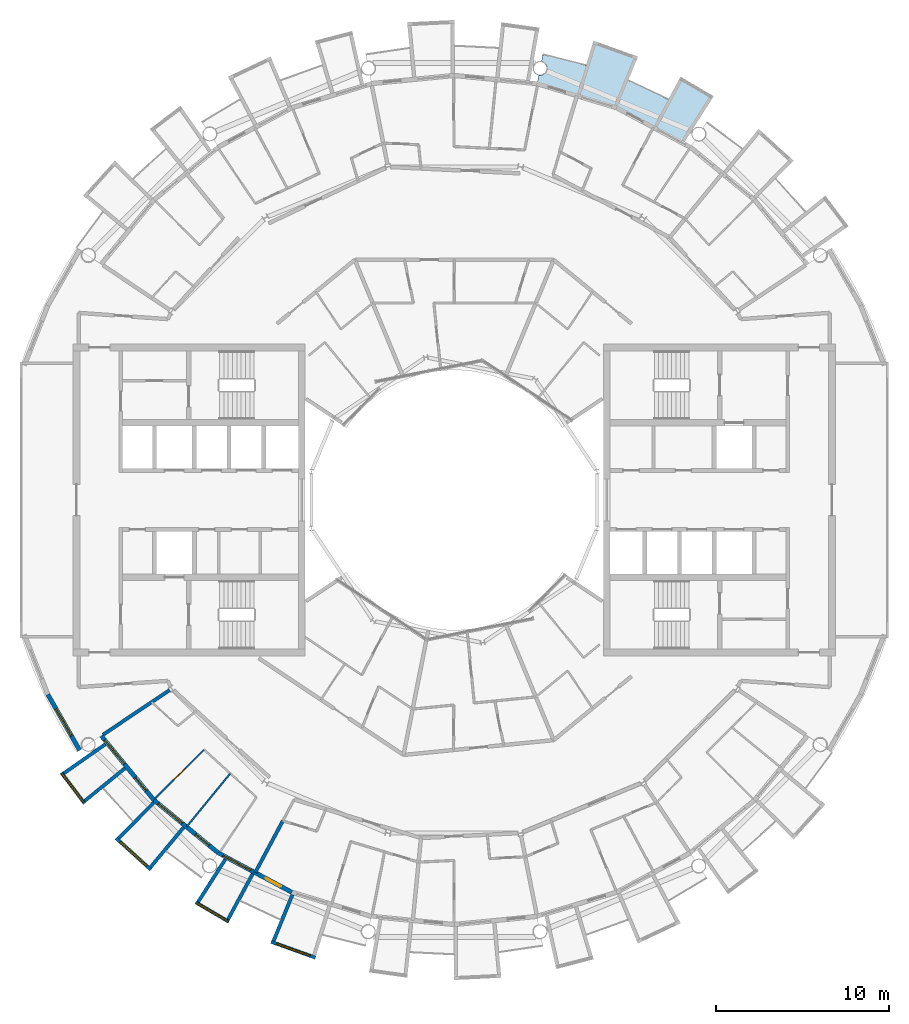
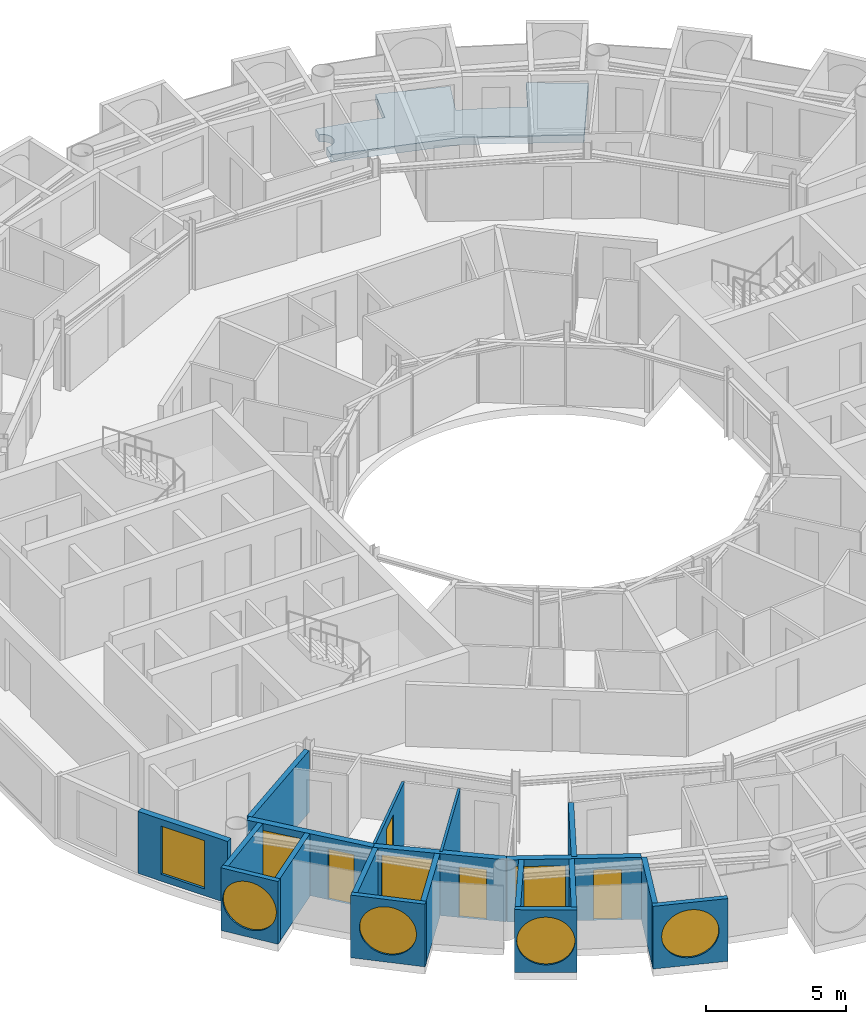
# One storey, part 13 of 27: 19 walls, 8 windows, 4 doors, 1 slab, 12 openings.
"""IFC4 building model written with IfcOpenShell, lengths in metres."""

from ifc_helpers import new_model, si_unit, direction, frame, frame_2d, origin, place, context, subcontext, project, spatial, polyline, rectangle, circle, outline, extrude, material, layer, layer_set, type_object, element, fill, save


model = new_model("IFC4")

# Units and contexts
model_context = context("Model", 3, precision=1e-05, world=origin(), true_north=direction((0.0, 1.0)))
body_context = subcontext(model_context, "Body", "Model", "MODEL_VIEW")
ifc_project = project(units=[si_unit("LENGTHUNIT", "METRE"), si_unit("AREAUNIT", "SQUARE_METRE"), si_unit("VOLUMEUNIT", "CUBIC_METRE"), si_unit("PLANEANGLEUNIT", "RADIAN"), si_unit("MASSUNIT", "GRAM", prefix="KILO")], contexts=[model_context])

# Site, building, storey
site_placement = place(None, origin())
site = spatial("IfcSite", under=ifc_project, at=site_placement, CompositionType="ELEMENT")
building_placement = place(site_placement, origin())
building = spatial("IfcBuilding", under=site, at=building_placement, Name="Maasbend Ring Residences", CompositionType="ELEMENT")
storey_placement = place(building_placement, frame((0.0, 0.0, 240.14990234375)))
storey = spatial("IfcBuildingStorey", under=building, at=storey_placement, Name="L69", CompositionType="ELEMENT", Elevation=240.14990234375)

# Slab
ifc_material_1 = material(Name="Concrete C40/50", Category="concrete")
ifc_layer_1 = layer(ifc_material_1, 0.199951171875)
ifc_layer_set_1 = layer_set([ifc_layer_1], Name="Concrete C40/50")
slab_type = type_object("IfcSlabType", Name="SL-LOGGIA", PredefinedType="FLOOR", material=ifc_layer_set_1)
slab_placement = place(storey_placement, frame((0.0, 0.0, -0.349853515625)))
element("IfcSlab", 1, at=slab_placement, inside=storey, type_object=slab_type, Name="Loggia floor 3", PredefinedType="FLOOR", context=body_context, shape_type="SweptSolid", body=[
    extrude(outline(polyline([(4.89599609375, 24.510009765625), (4.906005859375, 24.508056640625), (4.9150390625, 24.507080078125), (4.925048828125, 24.507080078125), (4.93505859375, 24.506103515625), (4.945068359375, 24.506103515625), (4.955078125, 24.5048828125), (4.965087890625, 24.506103515625), (4.97509765625, 24.506103515625), (4.985107421875, 24.507080078125), (4.9951171875, 24.507080078125), (5.0048828125, 24.508056640625), (5.014892578125, 24.510009765625), (5.02490234375, 24.510986328125), (5.034912109375, 24.512939453125), (5.0439453125, 24.514892578125), (5.053955078125, 24.51806640625), (5.06396484375, 24.52001953125), (5.072998046875, 24.52294921875), (5.0830078125, 24.52587890625), (5.092041015625, 24.529052734375), (5.10205078125, 24.532958984375), (5.111083984375, 24.535888671875), (5.1201171875, 24.5400390625), (5.12890625, 24.5439453125), (5.137939453125, 24.549072265625), (5.14697265625, 24.552978515625), (5.156005859375, 24.55810546875), (5.1640625, 24.56298828125), (5.173095703125, 24.568115234375), (5.180908203125, 24.573974609375), (5.18896484375, 24.580078125), (5.197021484375, 24.5849609375), (5.205078125, 24.591064453125), (5.212890625, 24.597900390625), (5.220947265625, 24.60400390625), (5.22802734375, 24.611083984375), (5.236083984375, 24.616943359375), (5.242919921875, 24.6240234375), (5.25, 24.632080078125), (5.256103515625, 24.638916015625), (5.262939453125, 24.64599609375), (5.27001953125, 24.654052734375), (5.27587890625, 24.662109375), (5.281982421875, 24.669921875), (5.2880859375, 24.677978515625), (5.29296875, 24.68603515625), (5.299072265625, 24.694091796875), (5.303955078125, 24.702880859375), (5.30908203125, 24.7119140625), (5.31396484375, 24.719970703125), (5.318115234375, 24.72900390625), (5.322998046875, 24.738037109375), (5.326904296875, 24.7470703125), (5.3310546875, 24.756103515625), (5.3349609375, 24.76611328125), (5.337890625, 24.77490234375), (5.341064453125, 24.783935546875), (5.343994140625, 24.7939453125), (5.346923828125, 24.802978515625), (5.35009765625, 24.81298828125), (5.35205078125, 24.822998046875), (5.35400390625, 24.8330078125), (5.35595703125, 24.842041015625), (5.35693359375, 24.85205078125), (5.35888671875, 24.862060546875), (5.360107421875, 24.8720703125), (5.361083984375, 24.882080078125), (5.361083984375, 24.89208984375), (5.362060546875, 24.902099609375), (5.362060546875, 24.912109375), (5.362060546875, 24.922119140625), (5.361083984375, 24.931884765625), (5.361083984375, 24.94189453125), (5.360107421875, 24.951904296875), (5.35888671875, 24.9619140625), (5.35693359375, 24.971923828125), (5.35595703125, 24.98095703125), (5.35400390625, 24.990966796875), (5.35205078125, 25.0009765625), (5.35009765625, 25.010986328125), (5.346923828125, 25.02001953125), (5.343994140625, 25.030029296875), (5.341064453125, 25.0390625), (5.337890625, 25.049072265625), (5.3349609375, 25.05810546875), (5.3310546875, 25.06689453125), (5.326904296875, 25.076904296875), (5.322998046875, 25.0859375), (5.318115234375, 25.094970703125), (5.31396484375, 25.10400390625), (5.30908203125, 25.112060546875), (5.303955078125, 25.12109375), (5.299072265625, 25.12890625), (5.29296875, 25.137939453125), (5.2880859375, 25.14599609375), (5.281982421875, 25.154052734375), (5.27587890625, 25.162109375), (5.27001953125, 25.169921875), (5.262939453125, 25.177001953125), (5.256103515625, 25.18505859375), (5.25, 25.19189453125), (5.242919921875, 25.198974609375), (5.236083984375, 25.2060546875), (5.22802734375, 25.212890625), (5.220947265625, 25.219970703125), (5.212890625, 25.22607421875), (5.205078125, 25.23193359375), (5.197021484375, 25.238037109375), (5.18896484375, 25.243896484375), (5.180908203125, 25.25), (5.173095703125, 25.2548828125), (5.1640625, 25.260986328125), (5.156005859375, 25.26611328125), (5.14697265625, 25.27001953125), (5.137939453125, 25.27490234375), (5.12890625, 25.279052734375), (5.1201171875, 25.283935546875), (5.111083984375, 25.287109375), (5.10205078125, 25.291015625), (5.092041015625, 25.294921875), (5.0830078125, 25.298095703125), (5.072998046875, 25.301025390625), (5.06396484375, 25.303955078125), (5.053955078125, 25.305908203125), (5.0439453125, 25.30908203125), (5.034912109375, 25.31103515625), (5.034912109375, 25.31103515625), (5.111083984375, 25.697021484375), (5.111083984375, 25.697021484375), (5.111083984375, 25.697021484375), (5.948974609375, 25.51611328125), (5.948974609375, 25.51611328125), (6.781005859375, 25.306884765625), (6.781005859375, 25.306884765625), (7.60498046875, 25.072021484375), (7.60498046875, 25.072021484375), (7.60498046875, 25.072021484375), (7.60498046875, 25.072021484375), (7.60498046875, 25.072021484375), (7.60498046875, 25.072021484375), (7.60498046875, 25.072021484375), (7.60498046875, 25.072021484375), (7.60498046875, 25.072021484375), (7.60498046875, 25.072021484375), (7.60498046875, 25.072021484375), (7.60498046875, 25.072021484375), (7.60595703125, 25.072021484375), (7.60595703125, 25.072021484375), (7.60595703125, 25.072021484375), (7.60595703125, 25.072021484375), (7.60595703125, 25.072021484375), (8.041015625, 26.507080078125), (8.041015625, 26.507080078125), (8.041015625, 26.507080078125), (10.60009765625, 25.591064453125), (10.60009765625, 25.591064453125), (10.60009765625, 25.591064453125), (10.02587890625, 24.2060546875), (10.02587890625, 24.2060546875), (10.02587890625, 24.2060546875), (10.02587890625, 24.2060546875), (10.02587890625, 24.2060546875), (10.02587890625, 24.2060546875), (10.02587890625, 24.2060546875), (10.02587890625, 24.2060546875), (10.02587890625, 24.2060546875), (10.027099609375, 24.2060546875), (10.027099609375, 24.2060546875), (10.027099609375, 24.2060546875), (10.027099609375, 24.2060546875), (10.027099609375, 24.2060546875), (10.027099609375, 24.205078125), (10.027099609375, 24.205078125), (10.027099609375, 24.205078125), (10.81298828125, 23.864990234375), (10.81298828125, 23.864990234375), (11.587890625, 23.498046875), (11.587890625, 23.498046875), (12.35009765625, 23.10693359375), (12.35009765625, 23.10693359375), (12.35009765625, 23.10693359375), (12.35009765625, 23.10693359375), (12.35009765625, 23.10693359375), (12.35009765625, 23.10693359375), (12.35009765625, 23.10693359375), (12.35009765625, 23.10693359375), (12.35107421875, 23.10693359375), (12.35107421875, 23.10693359375), (12.35107421875, 23.10693359375), (12.35107421875, 23.10693359375), (12.35107421875, 23.10693359375), (12.35107421875, 23.10693359375), (12.35107421875, 23.10693359375), (12.35107421875, 23.10693359375), (12.35107421875, 23.10693359375), (13.05810546875, 24.428955078125), (13.05810546875, 24.428955078125), (13.05810546875, 24.428955078125), (14.972900390625, 23.303955078125), (14.972900390625, 23.303955078125), (14.972900390625, 23.303955078125), (13.221923828125, 20.5791015625), (13.221923828125, 20.5791015625), (13.221923828125, 20.5791015625), (11.493896484375, 21.5029296875), (9.3759765625, 22.635009765625), (9.3759765625, 22.635009765625), (9.3759765625, 22.635009765625), (7.077880859375, 23.33203125), (4.780029296875, 24.029052734375), (4.780029296875, 24.029052734375), (4.780029296875, 24.029052734375), (4.8759765625, 24.512939453125), (4.8759765625, 24.512939453125), (4.885986328125, 24.510986328125), (4.89599609375, 24.510009765625)])), origin(), (0.0, 0.0, 1.0), 0.320068359375),
])

# Wall, opening, window
ifc_material_2 = material(Name="Pale anodised aluminium panel", Category="aluminium")
ifc_layer_2 = layer(ifc_material_2, 0.199951171875)
ifc_layer_set_2 = layer_set([ifc_layer_2], Name="EW-BOX")
wall_type_1 = type_object("IfcWallType", Name="EW-BOX", PredefinedType="SOLIDWALL", material=ifc_layer_set_2)
wall_1_placement = place(storey_placement, frame((-22.672119140625, -15.739990234375, -0.02978515625), z_axis=(0.0, 0.0, 1.0), x_axis=(0.602915500641, -0.797805050803, 0.0)))
wall_1 = element("IfcWall", 2, at=wall_1_placement, inside=storey, type_object=wall_type_1, Name="Box front S01", PredefinedType="SOLIDWALL", context=body_context, shape_type="SweptSolid", body=[
    extrude(rectangle(XDim=2.220947265625, YDim=0.199951171875, at=frame_2d((1.1103515625, 0.0))), origin(), (0.0, 0.0, 1.0), 2.72998046875),
])
opening_1_placement = place(wall_1_placement, frame((0.070556640625, 0.0, 0.330078125)))
opening_1 = element("IfcOpeningElement", 3, at=opening_1_placement, cuts=wall_1, Name="Opening W-RD", PredefinedType="OPENING", context=body_context, shape_type="SweptSolid", body=[
    extrude(circle(Radius=1.0400390625, at=frame_2d((1.0400390625, 1.0400390625))), frame((0.0, 0.10986328125, 0.0), z_axis=(0.0, -1.0, 0.0), x_axis=(1.0, 0.0, 0.0)), (0.0, 0.0, 1.0), 0.219970703125),
])
ifc_material_3 = material(Name="Aluminium and clear glass", Category="aluminium")
window_type_1 = type_object("IfcWindowType", Name="W-RD", PartitioningType="SINGLE_PANEL", PredefinedType="WINDOW", material=ifc_material_3)
window_1_placement = place(opening_1_placement, origin())
window_1 = element("IfcWindow", 4, at=window_1_placement, inside=storey, type_object=window_type_1, Name="Round window S01", OverallHeight=2.080078125, OverallWidth=2.080078125, PartitioningType="SINGLE_PANEL", PredefinedType="WINDOW", context=body_context, shape_type="SweptSolid", body=[
    extrude(circle(Radius=1.0400390625, at=frame_2d((1.0400390625, 1.0400390625))), frame((0.0, 0.030029296875, 0.0), z_axis=(0.0, -1.0, 0.0), x_axis=(1.0, 0.0, 0.0)), (0.0, 0.0, 1.0), 0.06005859375),
])
fill(opening_1, window_1)

# Walls
wall_2_placement = place(storey_placement, frame((-20.137939453125, -14.093017578125, -0.02978515625), z_axis=(0.0, 0.0, 1.0), x_axis=(-0.81913764619, -0.573596998419, 0.0)))
element("IfcWall", 5, at=wall_2_placement, inside=storey, type_object=wall_type_1, Name="Box side wall S01 left", PredefinedType="SOLIDWALL", context=body_context, shape_type="SweptSolid", body=[
    extrude(rectangle(XDim=2.920166015625, YDim=0.199951171875, at=frame_2d((1.4599609375, 0.0))), origin(), (0.0, 0.0, 1.0), 2.72998046875),
])
wall_3_placement = place(storey_placement, frame((-19.0, -15.47900390625, -0.02978515625), z_axis=(0.0, 0.0, 1.0), x_axis=(-0.775612161439, -0.631209771017, 0.0)))
element("IfcWall", 6, at=wall_3_placement, inside=storey, type_object=wall_type_1, Name="Box side wall S01 right", PredefinedType="SOLIDWALL", context=body_context, shape_type="SweptSolid", body=[
    extrude(rectangle(XDim=2.992431640625, YDim=0.199951171875, at=frame_2d((1.49609375, 0.0))), origin(), (0.0, 0.0, 1.0), 2.72998046875),
])

# Wall, opening, window
wall_4_placement = place(storey_placement, frame((-19.52001953125, -19.512939453125, -0.02978515625), z_axis=(0.0, 0.0, 1.0), x_axis=(0.741016284298, -0.671487056022, 0.0)))
wall_4 = element("IfcWall", 7, at=wall_4_placement, inside=storey, type_object=wall_type_1, Name="Box front S03", PredefinedType="SOLIDWALL", context=body_context, shape_type="SweptSolid", body=[
    extrude(rectangle(XDim=2.7177734375, YDim=0.199951171875, at=frame_2d((1.35888671875, 0.0))), origin(), (0.0, 0.0, 1.0), 2.72998046875),
])
opening_2_placement = place(wall_4_placement, frame((0.319091796875, 0.0, 0.330078125)))
opening_2 = element("IfcOpeningElement", 8, at=opening_2_placement, cuts=wall_4, Name="Opening W-RD", PredefinedType="OPENING", context=body_context, shape_type="SweptSolid", body=[
    extrude(circle(Radius=1.0400390625, at=frame_2d((1.0400390625, 1.0400390625))), frame((0.0, 0.10986328125, 0.0), z_axis=(0.0, -1.0, 0.0), x_axis=(1.0, 0.0, 0.0)), (0.0, 0.0, 1.0), 0.219970703125),
])
window_2_placement = place(opening_2_placement, origin())
window_2 = element("IfcWindow", 9, at=window_2_placement, inside=storey, type_object=window_type_1, Name="Round window S03", OverallHeight=2.080078125, OverallWidth=2.080078125, PartitioningType="SINGLE_PANEL", PredefinedType="WINDOW", context=body_context, shape_type="SweptSolid", body=[
    extrude(circle(Radius=1.0400390625, at=frame_2d((1.0400390625, 1.0400390625))), frame((0.0, 0.030029296875, 0.0), z_axis=(0.0, -1.0, 0.0), x_axis=(1.0, 0.0, 0.0)), (0.0, 0.0, 1.0), 0.06005859375),
])
fill(opening_2, window_2)

# Walls
wall_5_placement = place(storey_placement, frame((-17.343994140625, -17.469970703125, -0.02978515625), z_axis=(0.0, 0.0, 1.0), x_axis=(-0.704306055012, -0.709896457854, 0.0)))
element("IfcWall", 10, at=wall_5_placement, inside=storey, type_object=wall_type_1, Name="Box side wall S03 left", PredefinedType="SOLIDWALL", context=body_context, shape_type="SweptSolid", body=[
    extrude(rectangle(XDim=2.88232421875, YDim=0.199951171875, at=frame_2d((1.441162109375, 0.0))), origin(), (0.0, 0.0, 1.0), 2.72998046875),
])
wall_6_placement = place(storey_placement, frame((-15.614990234375, -18.887939453125, -0.02978515625), z_axis=(0.0, 0.0, 1.0), x_axis=(-0.637452521862, -0.770489638069, 0.0)))
element("IfcWall", 11, at=wall_6_placement, inside=storey, type_object=wall_type_1, Name="Box side wall S03 right", PredefinedType="SOLIDWALL", context=body_context, shape_type="SweptSolid", body=[
    extrude(rectangle(XDim=2.9931640625, YDim=0.199951171875, at=frame_2d((1.49658203125, 0.0))), origin(), (0.0, 0.0, 1.0), 2.72998046875),
])

# Wall, opening, window
wall_7_placement = place(storey_placement, frame((-14.923095703125, -23.218017578125, -0.02978515625), z_axis=(0.0, 0.0, 1.0), x_axis=(0.862340692672, -0.506328480101, 0.0)))
wall_7 = element("IfcWall", 12, at=wall_7_placement, inside=storey, type_object=wall_type_1, Name="Box front S05", PredefinedType="SOLIDWALL", context=body_context, shape_type="SweptSolid", body=[
    extrude(rectangle(XDim=2.221923828125, YDim=0.199951171875, at=frame_2d((1.11083984375, 0.0))), origin(), (0.0, 0.0, 1.0), 2.72998046875),
])
opening_3_placement = place(wall_7_placement, frame((0.070556640625, 0.0, 0.330078125)))
opening_3 = element("IfcOpeningElement", 13, at=opening_3_placement, cuts=wall_7, Name="Opening W-RD", PredefinedType="OPENING", context=body_context, shape_type="SweptSolid", body=[
    extrude(circle(Radius=1.0400390625, at=frame_2d((1.0400390625, 1.0400390625))), frame((0.0, 0.10986328125, 0.0), z_axis=(0.0, -1.0, 0.0), x_axis=(1.0, 0.0, 0.0)), (0.0, 0.0, 1.0), 0.219970703125),
])
window_3_placement = place(opening_3_placement, origin())
window_3 = element("IfcWindow", 14, at=window_3_placement, inside=storey, type_object=window_type_1, Name="Round window S05", OverallHeight=2.080078125, OverallWidth=2.080078125, PartitioningType="SINGLE_PANEL", PredefinedType="WINDOW", context=body_context, shape_type="SweptSolid", body=[
    extrude(circle(Radius=1.0400390625, at=frame_2d((1.0400390625, 1.0400390625))), frame((0.0, 0.030029296875, 0.0), z_axis=(0.0, -1.0, 0.0), x_axis=(1.0, 0.0, 0.0)), (0.0, 0.0, 1.0), 0.06005859375),
])
fill(opening_3, window_3)

# Walls
wall_8_placement = place(storey_placement, frame((-13.2109375, -20.72705078125, -0.02978515625), z_axis=(0.0, 0.0, 1.0), x_axis=(-0.537551395407, -0.843230986917, 0.0)))
element("IfcWall", 15, at=wall_8_placement, inside=storey, type_object=wall_type_1, Name="Box side wall S05 left", PredefinedType="SOLIDWALL", context=body_context, shape_type="SweptSolid", body=[
    extrude(rectangle(XDim=2.9208984375, YDim=0.199951171875, at=frame_2d((1.46044921875, 0.0))), origin(), (0.0, 0.0, 1.0), 2.72998046875),
])
wall_9_placement = place(storey_placement, frame((-11.631103515625, -21.572021484375, -0.02978515625), z_axis=(0.0, 0.0, 1.0), x_axis=(-0.474649669009, -0.880174807473, 0.0)))
element("IfcWall", 16, at=wall_9_placement, inside=storey, type_object=wall_type_1, Name="Box side wall S05 right", PredefinedType="SOLIDWALL", context=body_context, shape_type="SweptSolid", body=[
    extrude(rectangle(XDim=2.991455078125, YDim=0.199951171875, at=frame_2d((1.49560546875, 0.0))), origin(), (0.0, 0.0, 1.0), 2.72998046875),
])

# Wall, opening, window
wall_10_placement = place(storey_placement, frame((-10.56689453125, -25.4970703125, -0.02978515625), z_axis=(0.0, 0.0, 1.0), x_axis=(0.941532471443, -0.336922253968, 0.0)))
wall_10 = element("IfcWall", 17, at=wall_10_placement, inside=storey, type_object=wall_type_1, Name="Box front S07", PredefinedType="SOLIDWALL", context=body_context, shape_type="SweptSolid", body=[
    extrude(rectangle(XDim=2.71875, YDim=0.199951171875, at=frame_2d((1.359375, 0.0))), origin(), (0.0, 0.0, 1.0), 2.72998046875),
])
opening_4_placement = place(wall_10_placement, frame((0.319091796875, 0.0, 0.330078125)))
opening_4 = element("IfcOpeningElement", 18, at=opening_4_placement, cuts=wall_10, Name="Opening W-RD", PredefinedType="OPENING", context=body_context, shape_type="SweptSolid", body=[
    extrude(circle(Radius=1.0400390625, at=frame_2d((1.0400390625, 1.0400390625))), frame((0.0, 0.10986328125, 0.0), z_axis=(0.0, -1.0, 0.0), x_axis=(1.0, 0.0, 0.0)), (0.0, 0.0, 1.0), 0.219970703125),
])
window_4_placement = place(opening_4_placement, origin())
window_4 = element("IfcWindow", 19, at=window_4_placement, inside=storey, type_object=window_type_1, Name="Round window S07", OverallHeight=2.080078125, OverallWidth=2.080078125, PartitioningType="SINGLE_PANEL", PredefinedType="WINDOW", context=body_context, shape_type="SweptSolid", body=[
    extrude(circle(Radius=1.0400390625, at=frame_2d((1.0400390625, 1.0400390625))), frame((0.0, 0.030029296875, 0.0), z_axis=(0.0, -1.0, 0.0), x_axis=(1.0, 0.0, 0.0)), (0.0, 0.0, 1.0), 0.06005859375),
])
fill(opening_4, window_4)

# Wall
wall_11_placement = place(storey_placement, frame((-9.337890625, -22.777099609375, -0.02978515625), z_axis=(0.0, 0.0, 1.0), x_axis=(-0.379219850791, -0.925306600412, 0.0)))
element("IfcWall", 20, at=wall_11_placement, inside=storey, type_object=wall_type_1, Name="Box side wall S07 left", PredefinedType="SOLIDWALL", context=body_context, shape_type="SweptSolid", body=[
    extrude(rectangle(XDim=2.88232421875, YDim=0.199951171875, at=frame_2d((1.441162109375, 0.0))), origin(), (0.0, 0.0, 1.0), 2.72998046875),
])

# Wall, openings, door, window
ifc_material_4 = material(Name="Aluminium clad insulated panel", Category="aluminium")
ifc_layer_3 = layer(ifc_material_4, 0.25)
ifc_layer_set_3 = layer_set([ifc_layer_3], Name="EW-GL")
wall_type_2 = type_object("IfcWallType", Name="EW-GL", PredefinedType="SOLIDWALL", material=ifc_layer_set_3)
wall_12_placement = place(storey_placement, frame((-20.37109375, -13.611083984375, 0.0), z_axis=(0.0, 0.0, 1.0), x_axis=(0.634396836208, -0.773007538262, 0.0)))
wall_12 = element("IfcWall", 21, at=wall_12_placement, inside=storey, type_object=wall_type_2, Name="External wall S01", PredefinedType="SOLIDWALL", context=body_context, shape_type="SweptSolid", body=[
    extrude(rectangle(XDim=4.80322265625, YDim=0.25, at=frame_2d((2.401611328125, 0.0))), origin(), (0.0, 0.0, 1.0), 2.7001953125),
])
opening_5_placement = place(wall_12_placement, frame((0.3037109375, 0.0, 0.300048828125)))
opening_5 = element("IfcOpeningElement", 22, at=opening_5_placement, cuts=wall_12, Name="Opening W-BX", PredefinedType="OPENING", context=body_context, shape_type="SweptSolid", body=[
    extrude(rectangle(XDim=1.800048828125, YDim=2.10009765625, at=frame_2d((0.89990234375, 1.050048828125))), frame((0.0, 0.135009765625, 0.0), z_axis=(0.0, -1.0, 0.0), x_axis=(1.0, 0.0, 0.0)), (0.0, 0.0, 1.0), 0.27001953125),
])
opening_6_placement = place(wall_12_placement, frame((3.09912109375, 0.0, 0.0)))
opening_6 = element("IfcOpeningElement", 23, at=opening_6_placement, cuts=wall_12, Name="Opening D-LG", PredefinedType="OPENING", context=body_context, shape_type="SweptSolid", body=[
    extrude(rectangle(XDim=1.0, YDim=2.199951171875, at=frame_2d((0.5, 1.10009765625))), frame((0.0, 0.135009765625, 0.0), z_axis=(0.0, -1.0, 0.0), x_axis=(1.0, 0.0, 0.0)), (0.0, 0.0, 1.0), 0.27001953125),
])
ifc_material_5 = material(Name="Aluminium and clear glass", Category="aluminium")
door_type_1 = type_object("IfcDoorType", Name="D-LG", OperationType="SINGLE_SWING_LEFT", PredefinedType="DOOR", material=ifc_material_5)
door_1_placement = place(opening_6_placement, origin())
door_1 = element("IfcDoor", 24, at=door_1_placement, inside=storey, type_object=door_type_1, Name="Loggia door S02", OperationType="SINGLE_SWING_LEFT", OverallHeight=2.199951171875, OverallWidth=1.0, PredefinedType="DOOR", context=body_context, shape_type="SweptSolid", body=[
    extrude(rectangle(XDim=1.0, YDim=2.199951171875, at=frame_2d((0.5, 1.10009765625))), frame((0.0, 0.02490234375, 0.0), z_axis=(0.0, -1.0, 0.0), x_axis=(1.0, 0.0, 0.0)), (0.0, 0.0, 1.0), 0.050048828125),
])
fill(opening_6, door_1)
ifc_material_6 = material(Name="Aluminium and clear glass", Category="aluminium")
window_type_2 = type_object("IfcWindowType", Name="W-BX", PartitioningType="DOUBLE_PANEL_VERTICAL", PredefinedType="WINDOW", material=ifc_material_6)
window_5_placement = place(opening_5_placement, origin())
window_5 = element("IfcWindow", 25, at=window_5_placement, inside=storey, type_object=window_type_2, Name="Window S01 room to box", OverallHeight=2.10009765625, OverallWidth=1.800048828125, PartitioningType="SINGLE_PANEL", PredefinedType="WINDOW", context=body_context, shape_type="SweptSolid", body=[
    extrude(rectangle(XDim=1.800048828125, YDim=2.10009765625, at=frame_2d((0.89990234375, 1.050048828125))), frame((0.0, 0.030029296875, 0.0), z_axis=(0.0, -1.0, 0.0), x_axis=(1.0, 0.0, 0.0)), (0.0, 0.0, 1.0), 0.06005859375),
])
fill(opening_5, window_5)

wall_13_placement = place(storey_placement, frame((-17.323974609375, -17.323974609375, 0.0), z_axis=(0.0, 0.0, 1.0), x_axis=(0.773007538262, -0.634396836208, 0.0)))
wall_13 = element("IfcWall", 26, at=wall_13_placement, inside=storey, type_object=wall_type_2, Name="External wall S02", PredefinedType="SOLIDWALL", context=body_context, shape_type="SweptSolid", body=[
    extrude(rectangle(XDim=4.80322265625, YDim=0.25, at=frame_2d((2.401611328125, 0.0))), origin(), (0.0, 0.0, 1.0), 2.7001953125),
])
opening_7_placement = place(wall_13_placement, frame((0.3037109375, 0.0, 0.300048828125)))
opening_7 = element("IfcOpeningElement", 27, at=opening_7_placement, cuts=wall_13, Name="Opening W-BX", PredefinedType="OPENING", context=body_context, shape_type="SweptSolid", body=[
    extrude(rectangle(XDim=1.800048828125, YDim=2.10009765625, at=frame_2d((0.89990234375, 1.050048828125))), frame((0.0, 0.135009765625, 0.0), z_axis=(0.0, -1.0, 0.0), x_axis=(1.0, 0.0, 0.0)), (0.0, 0.0, 1.0), 0.27001953125),
])
opening_8_placement = place(wall_13_placement, frame((3.09912109375, 0.0, 0.0)))
opening_8 = element("IfcOpeningElement", 28, at=opening_8_placement, cuts=wall_13, Name="Opening D-LG", PredefinedType="OPENING", context=body_context, shape_type="SweptSolid", body=[
    extrude(rectangle(XDim=1.0, YDim=2.199951171875, at=frame_2d((0.5, 1.10009765625))), frame((0.0, 0.135009765625, 0.0), z_axis=(0.0, -1.0, 0.0), x_axis=(1.0, 0.0, 0.0)), (0.0, 0.0, 1.0), 0.27001953125),
])
door_2_placement = place(opening_8_placement, origin())
door_2 = element("IfcDoor", 29, at=door_2_placement, inside=storey, type_object=door_type_1, Name="Loggia door S04", OperationType="SINGLE_SWING_LEFT", OverallHeight=2.199951171875, OverallWidth=1.0, PredefinedType="DOOR", context=body_context, shape_type="SweptSolid", body=[
    extrude(rectangle(XDim=1.0, YDim=2.199951171875, at=frame_2d((0.5, 1.10009765625))), frame((0.0, 0.02490234375, 0.0), z_axis=(0.0, -1.0, 0.0), x_axis=(1.0, 0.0, 0.0)), (0.0, 0.0, 1.0), 0.050048828125),
])
fill(opening_8, door_2)
window_6_placement = place(opening_7_placement, origin())
window_6 = element("IfcWindow", 30, at=window_6_placement, inside=storey, type_object=window_type_2, Name="Window S03 room to box", OverallHeight=2.10009765625, OverallWidth=1.800048828125, PartitioningType="SINGLE_PANEL", PredefinedType="WINDOW", context=body_context, shape_type="SweptSolid", body=[
    extrude(rectangle(XDim=1.800048828125, YDim=2.10009765625, at=frame_2d((0.89990234375, 1.050048828125))), frame((0.0, 0.030029296875, 0.0), z_axis=(0.0, -1.0, 0.0), x_axis=(1.0, 0.0, 0.0)), (0.0, 0.0, 1.0), 0.06005859375),
])
fill(opening_7, window_6)

wall_14_placement = place(storey_placement, frame((-13.611083984375, -20.37109375, 0.0), z_axis=(0.0, 0.0, 1.0), x_axis=(0.881903608701, -0.471429766731, 0.0)))
wall_14 = element("IfcWall", 31, at=wall_14_placement, inside=storey, type_object=wall_type_2, Name="External wall S03", PredefinedType="SOLIDWALL", context=body_context, shape_type="SweptSolid", body=[
    extrude(rectangle(XDim=4.80224609375, YDim=0.25, at=frame_2d((2.401123046875, 0.0))), origin(), (0.0, 0.0, 1.0), 2.7001953125),
])
opening_9_placement = place(wall_14_placement, frame((0.3037109375, 0.0, 0.300048828125)))
opening_9 = element("IfcOpeningElement", 32, at=opening_9_placement, cuts=wall_14, Name="Opening W-BX", PredefinedType="OPENING", context=body_context, shape_type="SweptSolid", body=[
    extrude(rectangle(XDim=1.800048828125, YDim=2.10009765625, at=frame_2d((0.89990234375, 1.050048828125))), frame((0.0, 0.135009765625, 0.0), z_axis=(0.0, -1.0, 0.0), x_axis=(1.0, 0.0, 0.0)), (0.0, 0.0, 1.0), 0.27001953125),
])
opening_10_placement = place(wall_14_placement, frame((3.09912109375, 0.0, 0.0)))
opening_10 = element("IfcOpeningElement", 33, at=opening_10_placement, cuts=wall_14, Name="Opening D-LG", PredefinedType="OPENING", context=body_context, shape_type="SweptSolid", body=[
    extrude(rectangle(XDim=1.0, YDim=2.199951171875, at=frame_2d((0.5, 1.10009765625))), frame((0.0, 0.135009765625, 0.0), z_axis=(0.0, -1.0, 0.0), x_axis=(1.0, 0.0, 0.0)), (0.0, 0.0, 1.0), 0.27001953125),
])
door_3_placement = place(opening_10_placement, origin())
door_3 = element("IfcDoor", 34, at=door_3_placement, inside=storey, type_object=door_type_1, Name="Loggia door S06", OperationType="SINGLE_SWING_LEFT", OverallHeight=2.199951171875, OverallWidth=1.0, PredefinedType="DOOR", context=body_context, shape_type="SweptSolid", body=[
    extrude(rectangle(XDim=1.0, YDim=2.199951171875, at=frame_2d((0.5, 1.10009765625))), frame((0.0, 0.02490234375, 0.0), z_axis=(0.0, -1.0, 0.0), x_axis=(1.0, 0.0, 0.0)), (0.0, 0.0, 1.0), 0.050048828125),
])
fill(opening_10, door_3)
window_7_placement = place(opening_9_placement, origin())
window_7 = element("IfcWindow", 35, at=window_7_placement, inside=storey, type_object=window_type_2, Name="Window S05 room to box", OverallHeight=2.10009765625, OverallWidth=1.800048828125, PartitioningType="SINGLE_PANEL", PredefinedType="WINDOW", context=body_context, shape_type="SweptSolid", body=[
    extrude(rectangle(XDim=1.800048828125, YDim=2.10009765625, at=frame_2d((0.89990234375, 1.050048828125))), frame((0.0, 0.030029296875, 0.0), z_axis=(0.0, -1.0, 0.0), x_axis=(1.0, 0.0, 0.0)), (0.0, 0.0, 1.0), 0.06005859375),
])
fill(opening_9, window_7)

# Wall, opening, window
ifc_material_7 = material(Name="Aluminium clad insulated panel", Category="aluminium")
ifc_layer_4 = layer(ifc_material_7, 0.25)
ifc_layer_set_4 = layer_set([ifc_layer_4], Name="EW-HORN")
wall_type_3 = type_object("IfcWallType", Name="EW-HORN", PredefinedType="SOLIDWALL", material=ifc_layer_set_4)
wall_15_placement = place(storey_placement, frame((-23.451904296875, -11.22607421875, 0.0), z_axis=(0.0, 0.0, 1.0), x_axis=(0.495031435966, -0.868875064325, 0.0)))
wall_15 = element("IfcWall", 36, at=wall_15_placement, inside=storey, type_object=wall_type_3, Name="Horn wall 3.2", PredefinedType="SOLIDWALL", context=body_context, shape_type="SweptSolid", body=[
    extrude(rectangle(XDim=3.704833984375, YDim=0.25, at=frame_2d((1.8525390625, 0.0))), origin(), (0.0, 0.0, 1.0), 2.7001953125),
])
opening_11_placement = place(wall_15_placement, frame((0.952392578125, 0.0, 0.300048828125)))
opening_11 = element("IfcOpeningElement", 37, at=opening_11_placement, cuts=wall_15, Name="Opening W-BX", PredefinedType="OPENING", context=body_context, shape_type="SweptSolid", body=[
    extrude(rectangle(XDim=1.800048828125, YDim=2.10009765625, at=frame_2d((0.89990234375, 1.050048828125))), frame((0.0, 0.135009765625, 0.0), z_axis=(0.0, -1.0, 0.0), x_axis=(1.0, 0.0, 0.0)), (0.0, 0.0, 1.0), 0.27001953125),
])
window_8_placement = place(opening_11_placement, origin())
window_8 = element("IfcWindow", 38, at=window_8_placement, inside=storey, type_object=window_type_2, Name="Horn window 3.2", OverallHeight=2.10009765625, OverallWidth=1.800048828125, PartitioningType="SINGLE_PANEL", PredefinedType="WINDOW", context=body_context, shape_type="SweptSolid", body=[
    extrude(rectangle(XDim=1.800048828125, YDim=2.10009765625, at=frame_2d((0.89990234375, 1.050048828125))), frame((0.0, 0.030029296875, 0.0), z_axis=(0.0, -1.0, 0.0), x_axis=(1.0, 0.0, 0.0)), (0.0, 0.0, 1.0), 0.06005859375),
])
fill(opening_11, window_8)

# Wall, opening, door
ifc_material_8 = material(Name="Gypsum board on steel studs", Category="steel")
ifc_layer_5 = layer(ifc_material_8, 0.10009765625)
ifc_layer_set_5 = layer_set([ifc_layer_5], Name="PARTITION 100 GYPSUM")
wall_type_4 = type_object("IfcWallType", Name="PARTITION 100 GYPSUM", PredefinedType="PARTITIONING", material=ifc_layer_set_5)
wall_16_placement = place(storey_placement, frame((-17.251953125, -17.218994140625, 0.0), z_axis=(0.0, 0.0, 1.0), x_axis=(0.707720109647, 0.706492920277, 0.0)))
wall_16 = element("IfcWall", 39, at=wall_16_placement, inside=storey, type_object=wall_type_4, Name="U-L69-w035", PredefinedType="PARTITIONING", context=body_context, shape_type="SweptSolid", body=[
    extrude(rectangle(XDim=3.978759765625, YDim=0.10009765625, at=frame_2d((1.9892578125, 0.0))), origin(), (0.0, 0.0, 1.0), 2.7001953125),
])
opening_12_placement = place(wall_16_placement, frame((1.5390625, 0.0, 0.0)))
opening_12 = element("IfcOpeningElement", 40, at=opening_12_placement, cuts=wall_16, Name="Opening D-6934", PredefinedType="OPENING", context=body_context, shape_type="SweptSolid", body=[
    extrude(rectangle(XDim=0.89990234375, YDim=2.300048828125, at=frame_2d((0.449951171875, 1.14990234375))), frame((0.0, 0.06005859375, 0.0), z_axis=(0.0, -1.0, 0.0), x_axis=(1.0, 0.0, 0.0)), (0.0, 0.0, 1.0), 0.1201171875),
])
ifc_material_9 = material(Name="Timber, painted", Category="wood")
door_type_2 = type_object("IfcDoorType", Name="INTERNAL DOOR 900 X 2300", OperationType="NOTDEFINED", PredefinedType="DOOR", material=ifc_material_9)
door_4_placement = place(opening_12_placement, origin())
door_4 = element("IfcDoor", 41, at=door_4_placement, inside=storey, type_object=door_type_2, Name="D-6934", OperationType="SINGLE_SWING_RIGHT", OverallHeight=2.300048828125, OverallWidth=0.89990234375, PredefinedType="DOOR", context=body_context, shape_type="SweptSolid", body=[
    extrude(rectangle(XDim=0.89990234375, YDim=2.300048828125, at=frame_2d((0.449951171875, 1.14990234375))), frame((0.0, 0.02490234375, 0.0), z_axis=(0.0, -1.0, 0.0), x_axis=(1.0, 0.0, 0.0)), (0.0, 0.0, 1.0), 0.050048828125),
])
fill(opening_12, door_4)

# Walls
wall_17_placement = place(storey_placement, frame((-15.445068359375, -18.85693359375, 0.0), z_axis=(0.0, 0.0, 1.0), x_axis=(0.633648720881, 0.77362090104, 0.0)))
element("IfcWall", 42, at=wall_17_placement, inside=storey, type_object=wall_type_4, Name="U-L69-w040", PredefinedType="PARTITIONING", context=body_context, shape_type="SweptSolid", body=[
    extrude(rectangle(XDim=3.978515625, YDim=0.10009765625, at=frame_2d((1.9892578125, 0.0))), origin(), (0.0, 0.0, 1.0), 2.7001953125),
])
ifc_material_10 = material(Name="Concrete C30/37", Category="concrete")
ifc_layer_6 = layer(ifc_material_10, 0.199951171875)
ifc_layer_set_6 = layer_set([ifc_layer_6], Name="Concrete C30/37")
wall_type_5 = type_object("IfcWallType", Name="PARTY WALL 200 CONCRETE", PredefinedType="PARTITIONING", material=ifc_layer_set_6)
wall_18_placement = place(storey_placement, frame((-20.26708984375, -13.5419921875, 0.0), z_axis=(0.0, 0.0, 1.0), x_axis=(0.831375603725, 0.555710901036, 0.0)))
element("IfcWall", 43, at=wall_18_placement, inside=storey, type_object=wall_type_5, Name="U-L69-w033", PredefinedType="PARTITIONING", context=body_context, shape_type="SweptSolid", body=[
    extrude(rectangle(XDim=4.624755859375, YDim=0.199951171875, at=frame_2d((2.3125, 0.0))), origin(), (0.0, 0.0, 1.0), 2.7001953125),
])
wall_19_placement = place(storey_placement, frame((-11.485107421875, -21.4990234375, 0.0), z_axis=(0.0, 0.0, 1.0), x_axis=(0.471125037246, 0.882066436999, 0.0)))
element("IfcWall", 44, at=wall_19_placement, inside=storey, type_object=wall_type_5, Name="U-L69-w044", PredefinedType="PARTITIONING", context=body_context, shape_type="SweptSolid", body=[
    extrude(rectangle(XDim=3.375, YDim=0.199951171875, at=frame_2d((1.6875, 0.0))), origin(), (0.0, 0.0, 1.0), 2.7001953125),
])

save(model, "model.ifc")
